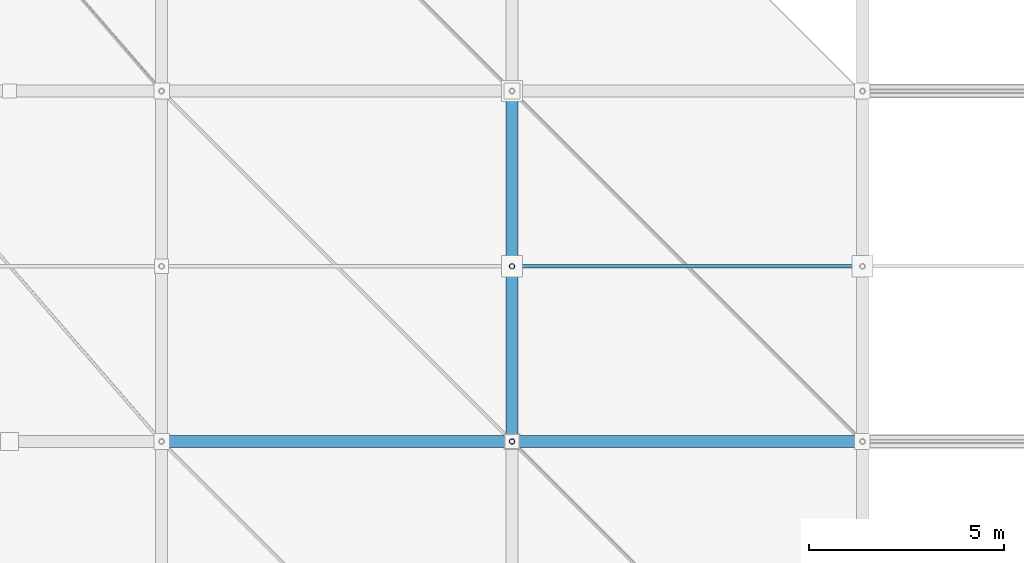
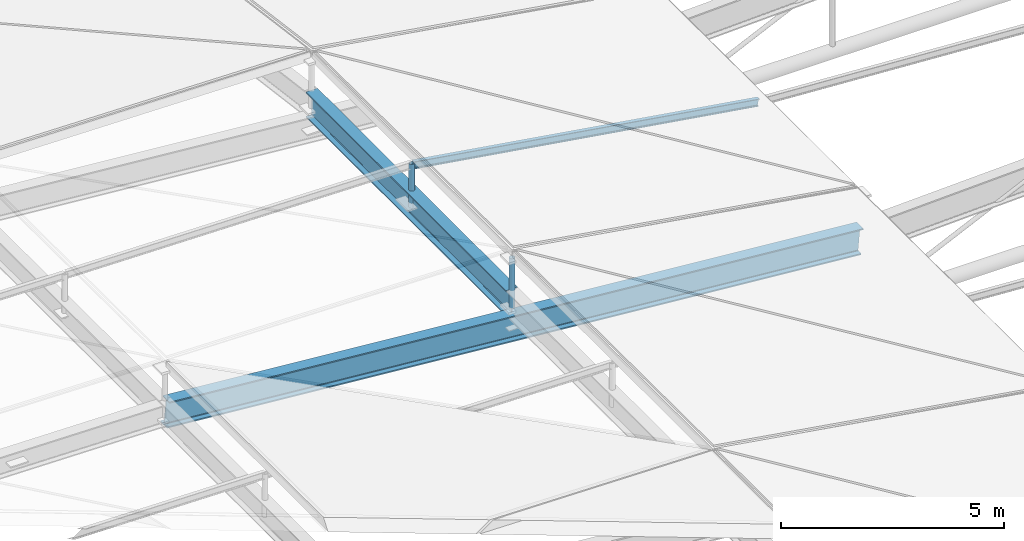
# One storey, part 12 of 80: 3 members, 2 beams.
"""IFC4 building model written with IfcOpenShell, lengths in metres."""

from ifc_helpers import new_model, si_unit, direction, frame, origin, origin_2d, place, context, subcontext, project, spatial, hollow_circle, i_section, extrude, material, material_profile, profile_set, type_object, element, save


model = new_model("IFC4")

# Units and contexts
model_context = context("Model", 3, precision=1e-05, world=origin(), true_north=direction((0.0, 1.0)))
body_context = subcontext(model_context, "Body", "Model", "MODEL_VIEW")
ifc_project = project(units=[si_unit("LENGTHUNIT", "METRE"), si_unit("AREAUNIT", "SQUARE_METRE"), si_unit("VOLUMEUNIT", "CUBIC_METRE"), si_unit("PLANEANGLEUNIT", "RADIAN"), si_unit("MASSUNIT", "GRAM", prefix="KILO")], contexts=[model_context])

# Site, building, storey
site_placement = place(None, origin())
site = spatial("IfcSite", under=ifc_project, at=site_placement, CompositionType="ELEMENT")
building_placement = place(site_placement, origin())
building = spatial("IfcBuilding", under=site, at=building_placement, Name="Barlavento Convention Centre", CompositionType="ELEMENT")
storey_placement = place(building_placement, frame((0.0, 0.0, 29.800048828125)))
storey = spatial("IfcBuildingStorey", under=building, at=storey_placement, Name="RF", CompositionType="ELEMENT", Elevation=29.800048828125)

# Beams
ifc_material_1 = material(Name="Steel S460", Category="steel")
ifc_material_profile_1 = material_profile(ifc_material_1, i_section(OverallWidth=0.300048828125, OverallDepth=0.699951171875, WebThickness=0.01708984375, FlangeThickness=0.031982421875, FilletRadius=0.027099609375, at=origin_2d()), Name="HEB 700")
ifc_profile_set_1 = profile_set([ifc_material_profile_1], Name="Steel S460")
beam_type = type_object("IfcBeamType", Name="STR-BM-TRUSS-TOP-HEB700", PredefinedType="BEAM", material=ifc_profile_set_1)
beam_1_placement = place(storey_placement, frame((0.0048828125, 18.0, 0.286865234375), z_axis=(0.996341025885, 0.0, -0.085466719474), x_axis=(0.0, 1.0, 0.0)))
element("IfcBeam", 1, at=beam_1_placement, inside=storey, type_object=beam_type, Name="Congress roof truss space frame chord", PredefinedType="BEAM", context=body_context, shape_type="SweptSolid", body=[
    extrude(i_section(OverallWidth=0.300048828125, OverallDepth=0.699951171875, WebThickness=0.01708984375, FlangeThickness=0.031982421875, FilletRadius=0.027099609375, at=origin_2d()), origin(), (0.0, 0.0, 1.0), 18.056396484375),
])
beam_2_placement = place(storey_placement, frame((9.0, 18.0048828125, 0.15625), z_axis=(0.0, 1.0, 0.0), x_axis=(-1.0, 0.0, 0.0)))
element("IfcBeam", 2, at=beam_2_placement, inside=storey, type_object=beam_type, Name="Congress roof truss space frame chord", PredefinedType="BEAM", context=body_context, shape_type="SweptSolid", body=[
    extrude(i_section(OverallWidth=0.300048828125, OverallDepth=0.699951171875, WebThickness=0.01708984375, FlangeThickness=0.031982421875, FilletRadius=0.027099609375, at=origin_2d()), origin(), (0.0, 0.0, 1.0), 8.990234375),
])

# Members
ifc_material_2 = material(Name="Steel S355", Category="steel")
ifc_material_profile_2 = material_profile(ifc_material_2, hollow_circle(Radius=0.06982421875, WallThickness=0.008056640625, at=origin_2d()), Name="CHS 139.7x8.0")
ifc_profile_set_2 = profile_set([ifc_material_profile_2], Name="Steel S355")
member_type_1 = type_object("IfcMemberType", Name="STR-MEM-DIAG-CHS139", PredefinedType="BRACE", material=ifc_profile_set_2)
member_1_placement = place(storey_placement, frame((9.0, 18.0, 0.00634765625), z_axis=(0.0, 0.0, 1.0), x_axis=(1.0, 0.0, 0.0)))
element("IfcMember", 3, at=member_1_placement, inside=storey, type_object=member_type_1, Name="Congress space frame vertical node post TD04", PredefinedType="BRACE", context=body_context, shape_type="SweptSolid", body=[
    extrude(hollow_circle(Radius=0.06982421875, WallThickness=0.008056640625, at=origin_2d()), origin(), (0.0, 0.0, 1.0), 1.369873046875),
])
member_2_placement = place(storey_placement, frame((9.0, 22.5, 0.0361328125), z_axis=(0.0, 0.0, 1.0), x_axis=(1.0, 0.0, 0.0)))
element("IfcMember", 4, at=member_2_placement, inside=storey, type_object=member_type_1, Name="Congress space frame vertical node post TD04", PredefinedType="BRACE", context=body_context, shape_type="SweptSolid", body=[
    extrude(hollow_circle(Radius=0.06982421875, WallThickness=0.008056640625, at=origin_2d()), origin(), (0.0, 0.0, 1.0), 1.197509765625),
])
ifc_material_profile_3 = material_profile(ifc_material_2, i_section(OverallWidth=0.10009765625, OverallDepth=0.199951171875, WebThickness=0.005615234375, FlangeThickness=0.008544921875, FilletRadius=0.011962890625, at=origin_2d()), Name="IPE 200")
ifc_profile_set_3 = profile_set([ifc_material_profile_3], Name="Steel S355")
member_type_2 = type_object("IfcMemberType", Name="STR-MEM-PUR-IPE200", PredefinedType="PURLIN", material=ifc_profile_set_3)
member_3_placement = place(storey_placement, frame((9.02001953125, 22.5, 1.17919921875), z_axis=(0.987832268227, 0.0, -0.155523020322), x_axis=(0.0, 1.0, 0.0)))
element("IfcMember", 5, at=member_3_placement, inside=storey, type_object=member_type_2, Name="Congress roof intermediate purlin PR01", PredefinedType="PURLIN", context=body_context, shape_type="SweptSolid", body=[
    extrude(i_section(OverallWidth=0.10009765625, OverallDepth=0.199951171875, WebThickness=0.005615234375, FlangeThickness=0.008544921875, FilletRadius=0.011962890625, at=origin_2d()), origin(), (0.0, 0.0, 1.0), 9.0703125),
])

save(model, "model.ifc")
